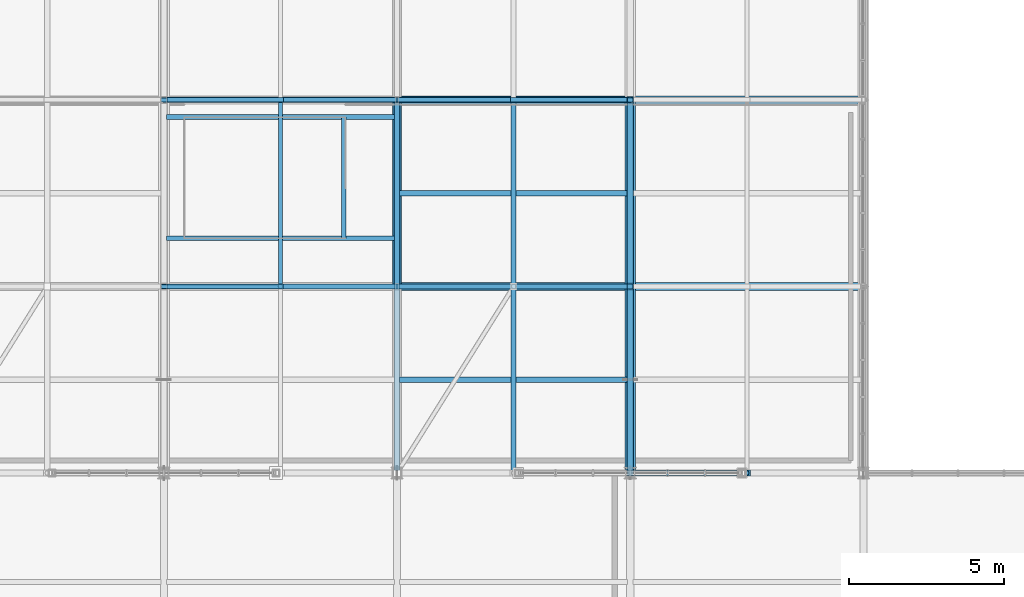
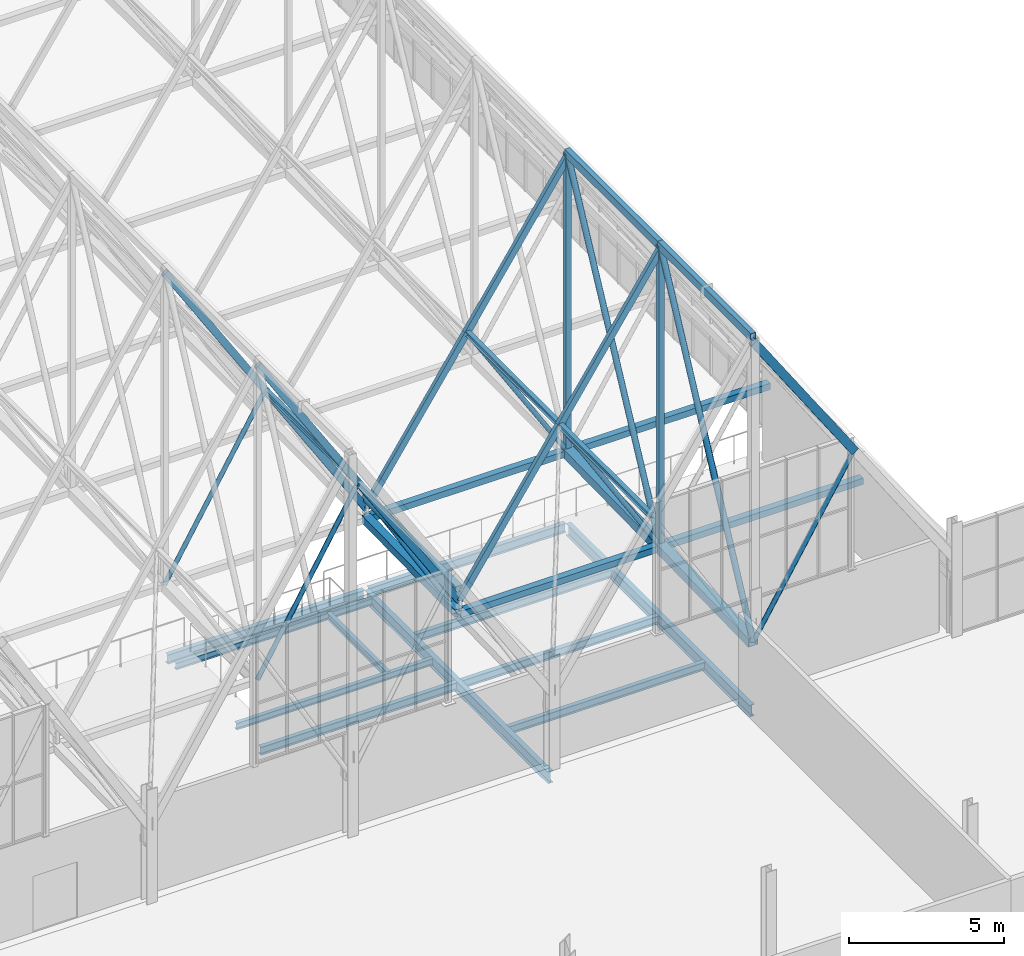
# One storey, part 214 of 324: 27 members, 14 beams.
"""IFC4 building model written with IfcOpenShell, lengths in metres."""

from ifc_helpers import new_model, si_unit, direction, frame, origin, origin_2d, place, context, subcontext, project, spatial, hollow_rectangle, hollow_circle, i_section, extrude, material, material_profile, profile_set, type_object, element, save


model = new_model("IFC4")

# Units and contexts
model_context = context("Model", 3, precision=1e-05, world=origin(), true_north=direction((0.0, 1.0)))
body_context = subcontext(model_context, "Body", "Model", "MODEL_VIEW")
ifc_project = project(units=[si_unit("LENGTHUNIT", "METRE"), si_unit("AREAUNIT", "SQUARE_METRE"), si_unit("VOLUMEUNIT", "CUBIC_METRE"), si_unit("PLANEANGLEUNIT", "RADIAN"), si_unit("MASSUNIT", "GRAM", prefix="KILO")], contexts=[model_context])

# Site, building, storey
site_placement = place(None, origin())
site = spatial("IfcSite", under=ifc_project, at=site_placement, CompositionType="ELEMENT")
building_placement = place(site_placement, origin())
building = spatial("IfcBuilding", under=site, at=building_placement, Name="Solvenia Promenade Tram Depot", CompositionType="ELEMENT")
storey_placement = place(building_placement, frame((0.0, 0.0, 4.5)))
storey = spatial("IfcBuildingStorey", under=building, at=storey_placement, Name="L01", CompositionType="ELEMENT", Elevation=4.5)

# Beams
ifc_material_1 = material(Name="Structural steel ASTM A992 Gr. 50", Category="steel")
ifc_material_profile_1 = material_profile(ifc_material_1, i_section(OverallWidth=0.19091796875, OverallDepth=0.4599609375, WebThickness=0.010009765625, FlangeThickness=0.01611328125, FilletRadius=0.012939453125, at=origin_2d()), Name="W460x82", Category="steel")
ifc_profile_set_1 = profile_set([ifc_material_profile_1], Name="Structural steel ASTM A992 Gr. 50")
beam_type_1 = type_object("IfcBeamType", Name="Beam-W460x82", PredefinedType="BEAM", material=ifc_profile_set_1)
for number, where, z_axis, x_axis, name in (
    (1, (135.0, 66.0849609375, -0.449951171875), (0.0, 1.0, 0.0), (-1.0, 0.0, 0.0), "Transverse Girder BM-L01-0059"),
    (2, (142.5, 66.0849609375, -0.449951171875), (0.0, 1.0, 0.0), (-1.0, 0.0, 0.0), "Transverse Girder BM-L01-0060"),
):
    element("IfcBeam", number, at=place(storey_placement, frame(where, z_axis=z_axis, x_axis=x_axis)), inside=storey, type_object=beam_type_1, Name=name, PredefinedType="BEAM", context=body_context, shape_type="SweptSolid", body=[
        extrude(i_section(OverallWidth=0.19091796875, OverallDepth=0.4599609375, WebThickness=0.010009765625, FlangeThickness=0.01611328125, FilletRadius=0.012939453125, at=origin_2d()), origin(), (0.0, 0.0, 1.0), 11.830078125),
    ])

# Members
ifc_material_2 = material(Name="Structural steel ASTM A500 Gr. C", Category="steel")
ifc_material_profile_2 = material_profile(ifc_material_2, hollow_circle(Radius=0.109619140625, WallThickness=0.008056640625, at=origin_2d()), Name="CHS219.1x8", Category="steel")
ifc_profile_set_2 = profile_set([ifc_material_profile_2], Name="Structural steel ASTM A500 Gr. C")
member_type_1 = type_object("IfcMemberType", Name="Brace-CHS219x8", PredefinedType="BRACE", material=ifc_profile_set_2)
member_1_placement = place(storey_placement, frame((142.5, 66.0, 2.320068359375), z_axis=(0.0, 0.447068059613, 0.894499944144), x_axis=(-1.0, 0.0, 0.0)))
element("IfcMember", 3, at=member_1_placement, inside=storey, type_object=member_type_1, Name="Arched Truss T20 Web Diagonal S01", PredefinedType="BRACE", context=body_context, shape_type="SweptSolid", body=[
    extrude(hollow_circle(Radius=0.109619140625, WallThickness=0.008056640625, at=origin_2d()), origin(), (0.0, 0.0, 1.0), 13.420654296875),
])
member_2_placement = place(storey_placement, frame((142.5, 72.0, 2.446044921875), z_axis=(0.0, 0.450849563736, 0.892599950078), x_axis=(-1.0, 0.0, 0.0)))
element("IfcMember", 4, at=member_2_placement, inside=storey, type_object=member_type_1, Name="Arched Truss T20 Web Diagonal S02", PredefinedType="BRACE", context=body_context, shape_type="SweptSolid", body=[
    extrude(hollow_circle(Radius=0.109619140625, WallThickness=0.008056640625, at=origin_2d()), origin(), (0.0, 0.0, 1.0), 13.30810546875),
])
ifc_material_profile_3 = material_profile(ifc_material_2, hollow_rectangle(XDim=0.14990234375, YDim=0.25, WallThickness=0.010009765625, at=origin_2d()), Name="HSS250x150x10", Category="steel")
ifc_profile_set_3 = profile_set([ifc_material_profile_3], Name="Structural steel ASTM A500 Gr. C")
member_type_2 = type_object("IfcMemberType", Name="Chord-HSS250x150x10", PredefinedType="CHORD", material=ifc_profile_set_3)
member_3_placement = place(storey_placement, frame((127.5, 72.0, 14.83251953125), z_axis=(0.533522444929, 0.0, -0.845785907164), x_axis=(0.0, 1.0, 0.0)))
element("IfcMember", 5, at=member_3_placement, inside=storey, type_object=member_type_2, Name="Zigzag Gable 09 East Upper Rafter", PredefinedType="CHORD", context=body_context, shape_type="SweptSolid", body=[
    extrude(hollow_rectangle(XDim=0.14990234375, YDim=0.25, WallThickness=0.010009765625, at=origin_2d()), origin(), (0.0, 0.0, 1.0), 7.02880859375),
])
member_4_placement = place(storey_placement, frame((131.25, 72.0, 8.8876953125), z_axis=(0.533506771487, 0.0, -0.845795793781), x_axis=(0.0, 1.0, 0.0)))
element("IfcMember", 6, at=member_4_placement, inside=storey, type_object=member_type_2, Name="Zigzag Gable 09 East Lower Rafter", PredefinedType="CHORD", context=body_context, shape_type="SweptSolid", body=[
    extrude(hollow_rectangle(XDim=0.14990234375, YDim=0.25, WallThickness=0.010009765625, at=origin_2d()), origin(), (0.0, 0.0, 1.0), 7.029052734375),
])
member_5_placement = place(storey_placement, frame((127.5, 78.0, 14.83251953125), z_axis=(0.533522444929, 0.0, -0.845785907164), x_axis=(0.0, 1.0, 0.0)))
element("IfcMember", 7, at=member_5_placement, inside=storey, type_object=member_type_2, Name="Zigzag Gable 09 East Upper Rafter", PredefinedType="CHORD", context=body_context, shape_type="SweptSolid", body=[
    extrude(hollow_rectangle(XDim=0.14990234375, YDim=0.25, WallThickness=0.010009765625, at=origin_2d()), origin(), (0.0, 0.0, 1.0), 7.02880859375),
])
member_6_placement = place(storey_placement, frame((131.25, 78.0, 8.8876953125), z_axis=(0.533506771487, 0.0, -0.845795793781), x_axis=(0.0, 1.0, 0.0)))
element("IfcMember", 8, at=member_6_placement, inside=storey, type_object=member_type_2, Name="Zigzag Gable 09 East Lower Rafter", PredefinedType="CHORD", context=body_context, shape_type="SweptSolid", body=[
    extrude(hollow_rectangle(XDim=0.14990234375, YDim=0.25, WallThickness=0.010009765625, at=origin_2d()), origin(), (0.0, 0.0, 1.0), 7.029052734375),
])
for number, where, z_axis, x_axis, name in (
    (9, (135.0, 72.0, 2.95703125), (0.557276274528, 0.0, 0.830327136644), (0.0, 1.0, 0.0), "Zigzag Gable 10 West Lower Rafter"),
    (10, (138.75, 72.0, 8.54443359375), (0.557259486914, 0.0, 0.83033840345), (0.0, 1.0, 0.0), "Zigzag Gable 10 West Upper Rafter"),
    (11, (135.0, 78.0, 2.95703125), (0.557276274528, 0.0, 0.830327136644), (0.0, 1.0, 0.0), "Zigzag Gable 10 West Lower Rafter"),
    (12, (138.75, 78.0, 8.54443359375), (0.557259486914, 0.0, 0.83033840345), (0.0, 1.0, 0.0), "Zigzag Gable 10 West Upper Rafter"),
):
    element("IfcMember", number, at=place(storey_placement, frame(where, z_axis=z_axis, x_axis=x_axis)), inside=storey, type_object=member_type_2, Name=name, PredefinedType="CHORD", context=body_context, shape_type="SweptSolid", body=[
        extrude(hollow_rectangle(XDim=0.14990234375, YDim=0.25, WallThickness=0.010009765625, at=origin_2d()), origin(), (0.0, 0.0, 1.0), 6.729248046875),
    ])
ifc_material_profile_4 = material_profile(ifc_material_2, hollow_rectangle(XDim=0.25, YDim=0.25, WallThickness=0.010009765625, at=origin_2d()), Name="HSS250x250x10", Category="steel")
ifc_profile_set_4 = profile_set([ifc_material_profile_4], Name="Structural steel ASTM A500 Gr. C")
member_type_3 = type_object("IfcMemberType", Name="Chord-HSS250x250x10", PredefinedType="CHORD", material=ifc_profile_set_4)
member_7_placement = place(storey_placement, frame((135.0, 72.0, 3.3798828125), z_axis=(0.0, 1.0, 0.0), x_axis=(-1.0, 0.0, 0.0)))
element("IfcMember", 13, at=member_7_placement, inside=storey, type_object=member_type_3, Name="Arched Truss T19 Upper Chord S02", PredefinedType="CHORD", context=body_context, shape_type="SweptSolid", body=[
    extrude(hollow_rectangle(XDim=0.25, YDim=0.25, WallThickness=0.010009765625, at=origin_2d()), origin(), (0.0, 0.0, 1.0), 6.0),
])
for number, where, z_axis, x_axis, name in (
    (14, (135.0, 72.0, 2.446044921875), (1.0, 0.0, 0.0), (0.0, 1.0, 0.0), "Bottom-Chord Catenary Lateral Tie 082"),
    (15, (135.0, 78.0, 2.5439453125), (1.0, 0.0, 0.0), (0.0, 1.0, 0.0), "Bottom-Chord Catenary Lateral Tie 083"),
):
    element("IfcMember", number, at=place(storey_placement, frame(where, z_axis=z_axis, x_axis=x_axis)), inside=storey, type_object=member_type_3, Name=name, PredefinedType="CHORD", context=body_context, shape_type="SweptSolid", body=[
        extrude(hollow_rectangle(XDim=0.25, YDim=0.25, WallThickness=0.010009765625, at=origin_2d()), origin(), (0.0, 0.0, 1.0), 15.0),
    ])
ifc_material_profile_5 = material_profile(ifc_material_2, hollow_rectangle(XDim=0.199951171875, YDim=0.300048828125, WallThickness=0.012451171875, at=origin_2d()), Name="HSS300x200x12.5", Category="steel")
ifc_profile_set_5 = profile_set([ifc_material_profile_5], Name="Structural steel ASTM A500 Gr. C")
member_type_4 = type_object("IfcMemberType", Name="Chord-HSS300x200x12", PredefinedType="CHORD", material=ifc_profile_set_5)
for number, where, z_axis, x_axis, name in (
    (16, (142.5, 66.0, 14.324951171875), (0.0, 1.0, 0.0), (-1.0, 0.0, 0.0), "Arched Truss T20 Upper Chord S01"),
    (17, (142.5, 72.0, 14.324951171875), (0.0, 1.0, 0.0), (-1.0, 0.0, 0.0), "Arched Truss T20 Upper Chord S02"),
):
    element("IfcMember", number, at=place(storey_placement, frame(where, z_axis=z_axis, x_axis=x_axis)), inside=storey, type_object=member_type_4, Name=name, PredefinedType="CHORD", context=body_context, shape_type="SweptSolid", body=[
        extrude(hollow_rectangle(XDim=0.199951171875, YDim=0.300048828125, WallThickness=0.012451171875, at=origin_2d()), origin(), (0.0, 0.0, 1.0), 6.0),
    ])
member_8_placement = place(storey_placement, frame((142.5, 66.0, 14.132080078125), z_axis=(0.557259486914, 0.0, -0.83033840345), x_axis=(0.0, 1.0, 0.0)))
element("IfcMember", 18, at=member_8_placement, inside=storey, type_object=member_type_4, Name="Zigzag Gable 10 East Upper Rafter", PredefinedType="CHORD", context=body_context, shape_type="SweptSolid", body=[
    extrude(hollow_rectangle(XDim=0.199951171875, YDim=0.300048828125, WallThickness=0.012451171875, at=origin_2d()), origin(), (0.0, 0.0, 1.0), 6.729248046875),
])
ifc_material_profile_6 = material_profile(ifc_material_2, hollow_rectangle(XDim=0.300048828125, YDim=0.300048828125, WallThickness=0.012451171875, at=origin_2d()), Name="HSS300x300x12.5", Category="steel")
ifc_profile_set_6 = profile_set([ifc_material_profile_6], Name="Structural steel ASTM A500 Gr. C")
member_type_5 = type_object("IfcMemberType", Name="Chord-HSS300x300x12", PredefinedType="CHORD", material=ifc_profile_set_6)
member_9_placement = place(storey_placement, frame((135.0, 72.0, 2.446044921875), z_axis=(0.0, 0.999866908707, 0.016314560156), x_axis=(-1.0, 0.0, 0.0)))
element("IfcMember", 19, at=member_9_placement, inside=storey, type_object=member_type_5, Name="Arched Truss T19 Bottom Chord S02", PredefinedType="CHORD", context=body_context, shape_type="SweptSolid", body=[
    extrude(hollow_rectangle(XDim=0.300048828125, YDim=0.300048828125, WallThickness=0.012451171875, at=origin_2d()), origin(), (0.0, 0.0, 1.0), 6.000732421875),
])
ifc_material_profile_7 = material_profile(ifc_material_2, hollow_rectangle(XDim=0.35009765625, YDim=0.35009765625, WallThickness=0.01611328125, at=origin_2d()), Name="HSS350x350x16", Category="steel")
ifc_profile_set_7 = profile_set([ifc_material_profile_7], Name="Structural steel ASTM A500 Gr. C")
member_type_6 = type_object("IfcMemberType", Name="Chord-HSS350x350x16", PredefinedType="CHORD", material=ifc_profile_set_7)
member_10_placement = place(storey_placement, frame((142.5, 66.0, 2.320068359375), z_axis=(0.0, 0.999779654873, 0.020991467363), x_axis=(-1.0, 0.0, 0.0)))
element("IfcMember", 20, at=member_10_placement, inside=storey, type_object=member_type_6, Name="Arched Truss T20 Bottom Chord S01", PredefinedType="CHORD", context=body_context, shape_type="SweptSolid", body=[
    extrude(hollow_rectangle(XDim=0.35009765625, YDim=0.35009765625, WallThickness=0.01611328125, at=origin_2d()), origin(), (0.0, 0.0, 1.0), 6.001220703125),
])
member_11_placement = place(storey_placement, frame((142.5, 72.0, 2.446044921875), z_axis=(0.0, 0.999866908707, 0.016314560156), x_axis=(-1.0, 0.0, 0.0)))
element("IfcMember", 21, at=member_11_placement, inside=storey, type_object=member_type_6, Name="Arched Truss T20 Bottom Chord S02", PredefinedType="CHORD", context=body_context, shape_type="SweptSolid", body=[
    extrude(hollow_rectangle(XDim=0.35009765625, YDim=0.35009765625, WallThickness=0.01611328125, at=origin_2d()), origin(), (0.0, 0.0, 1.0), 6.000732421875),
])

# Beams
ifc_material_profile_8 = material_profile(ifc_material_1, i_section(OverallWidth=0.14697265625, OverallDepth=0.261962890625, WebThickness=0.006591796875, FlangeThickness=0.01123046875, FilletRadius=0.010009765625, at=origin_2d()), Name="W250x39", Category="steel")
ifc_profile_set_8 = profile_set([ifc_material_profile_8], Name="Structural steel ASTM A992 Gr. 50")
beam_type_2 = type_object("IfcBeamType", Name="Joist-W250x39", PredefinedType="JOIST", material=ifc_profile_set_8)
for number, where, z_axis, x_axis, name in (
    (22, (127.5849609375, 73.550048828125, -0.35107421875), (1.0, 0.0, 0.0), (0.0, 1.0, 0.0), "Gallery Opening Stringer 2S BM-L01-0965"),
    (23, (127.5849609375, 77.449951171875, -0.35107421875), (1.0, 0.0, 0.0), (0.0, 1.0, 0.0), "Gallery Opening Stringer 2N BM-L01-0966"),
):
    element("IfcBeam", number, at=place(storey_placement, frame(where, z_axis=z_axis, x_axis=x_axis)), inside=storey, type_object=beam_type_2, Name=name, PredefinedType="JOIST", context=body_context, shape_type="SweptSolid", body=[
        extrude(i_section(OverallWidth=0.14697265625, OverallDepth=0.261962890625, WebThickness=0.006591796875, FlangeThickness=0.01123046875, FilletRadius=0.010009765625, at=origin_2d()), origin(), (0.0, 0.0, 1.0), 7.330078125),
    ])
beam_1_placement = place(storey_placement, frame((133.2900390625, 73.550048828125, -0.35107421875), z_axis=(0.0, 1.0, 0.0), x_axis=(-1.0, 0.0, 0.0)))
element("IfcBeam", 24, at=beam_1_placement, inside=storey, type_object=beam_type_2, Name="Gallery Flight Arrival Trimmer 2 BM-L01-0967", PredefinedType="JOIST", context=body_context, shape_type="SweptSolid", body=[
    extrude(i_section(OverallWidth=0.14697265625, OverallDepth=0.261962890625, WebThickness=0.006591796875, FlangeThickness=0.01123046875, FilletRadius=0.010009765625, at=origin_2d()), origin(), (0.0, 0.0, 1.0), 3.89990234375),
])
ifc_material_profile_9 = material_profile(ifc_material_1, i_section(OverallWidth=0.166015625, OverallDepth=0.31298828125, WebThickness=0.006591796875, FlangeThickness=0.01123046875, FilletRadius=0.010009765625, at=origin_2d()), Name="W310x45", Category="steel")
ifc_profile_set_9 = profile_set([ifc_material_profile_9], Name="Structural steel ASTM A992 Gr. 50")
beam_type_3 = type_object("IfcBeamType", Name="Joist-W310x45", PredefinedType="JOIST", material=ifc_profile_set_9)
for number, where, z_axis, x_axis, name in (
    (25, (127.5849609375, 72.0, -0.37646484375), (1.0, 0.0, 0.0), (0.0, 1.0, 0.0), "Secondary Floor Joist BM-L01-0113"),
    (26, (135.0849609375, 69.0, -0.37646484375), (1.0, 0.0, 0.0), (0.0, 1.0, 0.0), "Secondary Floor Joist BM-L01-0114"),
    (27, (135.0849609375, 72.0, -0.37646484375), (1.0, 0.0, 0.0), (0.0, 1.0, 0.0), "Secondary Floor Joist BM-L01-0115"),
    (28, (135.0849609375, 75.0, -0.37646484375), (1.0, 0.0, 0.0), (0.0, 1.0, 0.0), "Secondary Floor Joist BM-L01-0116"),
):
    element("IfcBeam", number, at=place(storey_placement, frame(where, z_axis=z_axis, x_axis=x_axis)), inside=storey, type_object=beam_type_3, Name=name, PredefinedType="JOIST", context=body_context, shape_type="SweptSolid", body=[
        extrude(i_section(OverallWidth=0.166015625, OverallDepth=0.31298828125, WebThickness=0.006591796875, FlangeThickness=0.01123046875, FilletRadius=0.010009765625, at=origin_2d()), origin(), (0.0, 0.0, 1.0), 7.330078125),
    ])

# Members
ifc_material_profile_10 = material_profile(ifc_material_2, hollow_rectangle(XDim=0.199951171875, YDim=0.199951171875, WallThickness=0.010009765625, at=origin_2d()), Name="HSS200x200x10", Category="steel")
ifc_profile_set_10 = profile_set([ifc_material_profile_10], Name="Structural steel ASTM A500 Gr. C")
member_type_7 = type_object("IfcMemberType", Name="Post-HSS200x200x10", PredefinedType="POST", material=ifc_profile_set_10)
member_12_placement = place(storey_placement, frame((142.5, 72.0, 2.446044921875), z_axis=(0.0, 0.0, 1.0), x_axis=(1.0, 0.0, 0.0)))
element("IfcMember", 29, at=member_12_placement, inside=storey, type_object=member_type_7, Name="Arched Truss T20 Web Post S01", PredefinedType="POST", context=body_context, shape_type="SweptSolid", body=[
    extrude(hollow_rectangle(XDim=0.199951171875, YDim=0.199951171875, WallThickness=0.010009765625, at=origin_2d()), origin(), (0.0, 0.0, 1.0), 11.87890625),
])
member_13_placement = place(storey_placement, frame((142.5, 78.0, 2.5439453125), z_axis=(0.0, 0.0, 1.0), x_axis=(1.0, 0.0, 0.0)))
element("IfcMember", 30, at=member_13_placement, inside=storey, type_object=member_type_7, Name="Arched Truss T20 Web Post S02", PredefinedType="POST", context=body_context, shape_type="SweptSolid", body=[
    extrude(hollow_rectangle(XDim=0.199951171875, YDim=0.199951171875, WallThickness=0.010009765625, at=origin_2d()), origin(), (0.0, 0.0, 1.0), 11.781005859375),
])

# Beams
ifc_material_profile_11 = material_profile(ifc_material_1, i_section(OverallWidth=0.133056640625, OverallDepth=0.20703125, WebThickness=0.005859375, FlangeThickness=0.00830078125, FilletRadius=0.009033203125, at=origin_2d()), Name="W200x27", Category="steel")
ifc_profile_set_11 = profile_set([ifc_material_profile_11], Name="Structural steel ASTM A992 Gr. 50")
beam_type_4 = type_object("IfcBeamType", Name="Purlin-W200x27", PredefinedType="USERDEFINED", material=ifc_profile_set_11)
beam_2_placement = place(storey_placement, frame((131.25, 72.0849609375, 8.8857421875), z_axis=(0.0, 1.0, 0.0), x_axis=(-1.0, 0.0, 0.0)))
element("IfcBeam", 31, at=beam_2_placement, inside=storey, type_object=beam_type_4, Name="Gable Roof Purlin E-0164", ObjectType="PURLIN", PredefinedType="USERDEFINED", context=body_context, shape_type="SweptSolid", body=[
    extrude(i_section(OverallWidth=0.133056640625, OverallDepth=0.20703125, WebThickness=0.005859375, FlangeThickness=0.00830078125, FilletRadius=0.009033203125, at=origin_2d()), origin(), (0.0, 0.0, 1.0), 5.830078125),
])
ifc_material_profile_12 = material_profile(ifc_material_1, i_section(OverallWidth=0.1650390625, OverallDepth=0.200927734375, WebThickness=0.006103515625, FlangeThickness=0.01025390625, FilletRadius=0.010009765625, at=origin_2d()), Name="W200x36", Category="steel")
ifc_profile_set_12 = profile_set([ifc_material_profile_12], Name="Structural steel ASTM A992 Gr. 50")
beam_type_5 = type_object("IfcBeamType", Name="Purlin-W200x36", PredefinedType="USERDEFINED", material=ifc_profile_set_12)
for number, where, z_axis, x_axis, name in (
    (32, (138.75, 66.0849609375, 8.551025390625), (0.0, 1.0, 0.0), (-1.0, 0.0, 0.0), "Gable Roof Purlin W-0181"),
    (33, (138.75, 72.0849609375, 8.551025390625), (0.0, 1.0, 0.0), (-1.0, 0.0, 0.0), "Gable Roof Purlin W-0183"),
):
    element("IfcBeam", number, at=place(storey_placement, frame(where, z_axis=z_axis, x_axis=x_axis)), inside=storey, type_object=beam_type_5, Name=name, ObjectType="PURLIN", PredefinedType="USERDEFINED", context=body_context, shape_type="SweptSolid", body=[
        extrude(i_section(OverallWidth=0.1650390625, OverallDepth=0.200927734375, WebThickness=0.006103515625, FlangeThickness=0.01025390625, FilletRadius=0.010009765625, at=origin_2d()), origin(), (0.0, 0.0, 1.0), 5.830078125),
    ])
ifc_material_profile_13 = material_profile(ifc_material_1, i_section(OverallWidth=0.172119140625, OverallDepth=0.35791015625, WebThickness=0.0078125, FlangeThickness=0.01318359375, FilletRadius=0.010986328125, at=origin_2d()), Name="W360x57", Category="steel")
ifc_profile_set_13 = profile_set([ifc_material_profile_13], Name="Structural steel ASTM A992 Gr. 50")
beam_type_6 = type_object("IfcBeamType", Name="Spandrel-W360x57", PredefinedType="SPANDREL", material=ifc_profile_set_13)
for number, where, z_axis, x_axis, name in (
    (34, (127.5849609375, 78.0, -0.39892578125), (1.0, 0.0, 0.0), (0.0, 1.0, 0.0), "Perimeter Spandrel BM-L01-0038"),
    (35, (135.0849609375, 78.0, -0.39892578125), (1.0, 0.0, 0.0), (0.0, 1.0, 0.0), "Perimeter Spandrel BM-L01-0039"),
):
    element("IfcBeam", number, at=place(storey_placement, frame(where, z_axis=z_axis, x_axis=x_axis)), inside=storey, type_object=beam_type_6, Name=name, PredefinedType="SPANDREL", context=body_context, shape_type="SweptSolid", body=[
        extrude(i_section(OverallWidth=0.172119140625, OverallDepth=0.35791015625, WebThickness=0.0078125, FlangeThickness=0.01318359375, FilletRadius=0.010986328125, at=origin_2d()), origin(), (0.0, 0.0, 1.0), 7.330078125),
    ])

# Members
ifc_material_profile_14 = material_profile(ifc_material_2, hollow_circle(Radius=0.084228515625, WallThickness=0.008056640625, at=origin_2d()), Name="CHS168.3x8", Category="steel")
ifc_profile_set_14 = profile_set([ifc_material_profile_14], Name="Structural steel ASTM A500 Gr. C")
member_type_8 = type_object("IfcMemberType", Name="WebDiag-CHS168x8", PredefinedType="BRACE", material=ifc_profile_set_14)
member_14_placement = place(storey_placement, frame((135.0, 72.0, 2.446044921875), z_axis=(0.0, 0.9881038455, 0.153788135133), x_axis=(-1.0, 0.0, 0.0)))
element("IfcMember", 36, at=member_14_placement, inside=storey, type_object=member_type_8, Name="Arched Truss T19 Web Diagonal S02", PredefinedType="BRACE", context=body_context, shape_type="SweptSolid", body=[
    extrude(hollow_circle(Radius=0.084228515625, WallThickness=0.008056640625, at=origin_2d()), origin(), (0.0, 0.0, 1.0), 6.072265625),
])
member_15_placement = place(storey_placement, frame((127.5, 72.0, 2.446044921875), z_axis=(0.503107125653, 0.0, 0.864224056664), x_axis=(0.0, 1.0, 0.0)))
element("IfcMember", 37, at=member_15_placement, inside=storey, type_object=member_type_8, Name="Zigzag Gable 09 East Knee Strut", PredefinedType="BRACE", context=body_context, shape_type="SweptSolid", body=[
    extrude(hollow_circle(Radius=0.084228515625, WallThickness=0.008056640625, at=origin_2d()), origin(), (0.0, 0.0, 1.0), 7.45361328125),
])
member_16_placement = place(storey_placement, frame((127.5, 78.0, 2.5439453125), z_axis=(0.508872173777, 0.0, 0.860842093973), x_axis=(0.0, 1.0, 0.0)))
element("IfcMember", 38, at=member_16_placement, inside=storey, type_object=member_type_8, Name="Zigzag Gable 09 East Knee Strut", PredefinedType="BRACE", context=body_context, shape_type="SweptSolid", body=[
    extrude(hollow_circle(Radius=0.084228515625, WallThickness=0.008056640625, at=origin_2d()), origin(), (0.0, 0.0, 1.0), 7.369140625),
])
member_17_placement = place(storey_placement, frame((142.5, 66.0, 2.320068359375), z_axis=(0.516051243619, 0.0, 0.856557711984), x_axis=(0.0, 1.0, 0.0)))
element("IfcMember", 39, at=member_17_placement, inside=storey, type_object=member_type_8, Name="Zigzag Gable 10 East Knee Strut", PredefinedType="BRACE", context=body_context, shape_type="SweptSolid", body=[
    extrude(hollow_circle(Radius=0.084228515625, WallThickness=0.008056640625, at=origin_2d()), origin(), (0.0, 0.0, 1.0), 7.2666015625),
])
member_18_placement = place(storey_placement, frame((142.5, 72.0, 2.446044921875), z_axis=(-0.523808186258, 0.0, 0.851836242484), x_axis=(0.0, -1.0, 0.0)))
element("IfcMember", 40, at=member_18_placement, inside=storey, type_object=member_type_8, Name="Zigzag Gable 10 West Knee Strut", PredefinedType="BRACE", context=body_context, shape_type="SweptSolid", body=[
    extrude(hollow_circle(Radius=0.084228515625, WallThickness=0.008056640625, at=origin_2d()), origin(), (0.0, 0.0, 1.0), 7.1591796875),
])
member_19_placement = place(storey_placement, frame((142.5, 78.0, 2.5439453125), z_axis=(-0.529967925608, 0.0, 0.848017687213), x_axis=(0.0, -1.0, 0.0)))
element("IfcMember", 41, at=member_19_placement, inside=storey, type_object=member_type_8, Name="Zigzag Gable 10 West Knee Strut", PredefinedType="BRACE", context=body_context, shape_type="SweptSolid", body=[
    extrude(hollow_circle(Radius=0.084228515625, WallThickness=0.008056640625, at=origin_2d()), origin(), (0.0, 0.0, 1.0), 7.075927734375),
])

save(model, "model.ifc")
